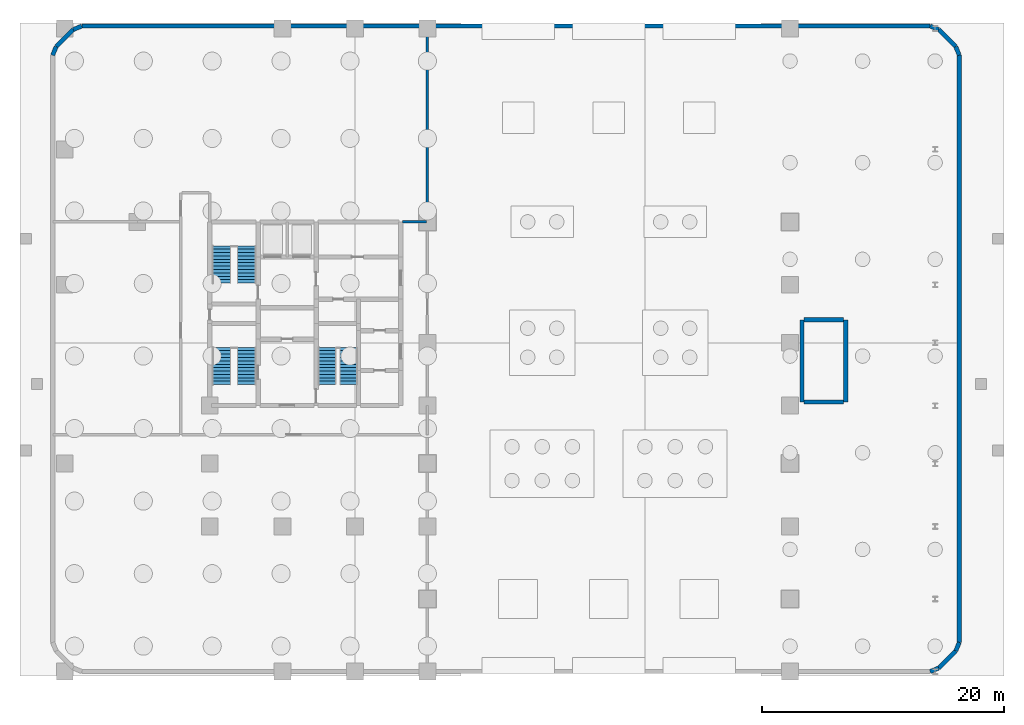
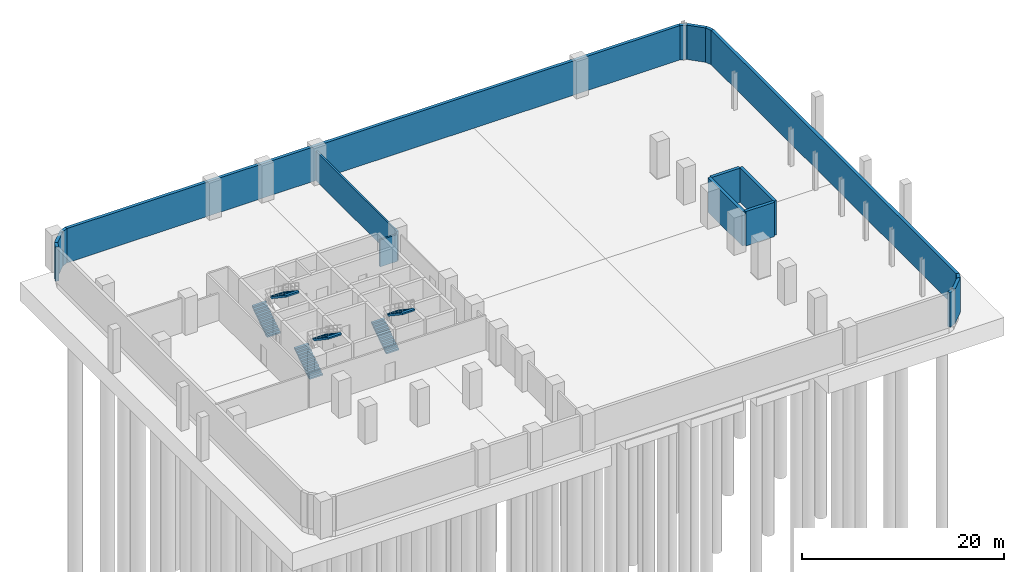
# One storey, part 6 of 8: 17 walls, 6 stair flights, 3 elements without a shape of their own.
"""IFC4 building model written with IfcOpenShell, lengths in metres."""

from ifc_helpers import new_model, si_unit, direction, frame, frame_2d, origin, place, context, subcontext, project, spatial, polyline, rectangle, outline, extrude, material, layer, layer_set, type_object, element, aggregate, save


model = new_model("IFC4")

# Units and contexts
model_context = context("Model", 3, precision=1e-05, world=origin(), true_north=direction((0.0, 1.0)))
body_context = subcontext(model_context, "Body", "Model", "MODEL_VIEW")
ifc_project = project(units=[si_unit("LENGTHUNIT", "METRE"), si_unit("AREAUNIT", "SQUARE_METRE"), si_unit("VOLUMEUNIT", "CUBIC_METRE"), si_unit("PLANEANGLEUNIT", "RADIAN"), si_unit("MASSUNIT", "GRAM", prefix="KILO")], contexts=[model_context])

# Site, building, storey
site_placement = place(None, origin())
site = spatial("IfcSite", under=ifc_project, at=site_placement, CompositionType="ELEMENT")
building_placement = place(site_placement, origin())
building = spatial("IfcBuilding", under=site, at=building_placement, Name="Keshet Zoharim Tower", CompositionType="ELEMENT")
storey_placement = place(building_placement, frame((0.0, 0.0, -9.0)))
storey = spatial("IfcBuildingStorey", under=building, at=storey_placement, Name="B2", CompositionType="ELEMENT", Elevation=-9.0)

# Walls
ifc_material_1 = material(Name="Concrete C60/75", Category="concrete")
ifc_layer_1 = layer(ifc_material_1, 0.35009765625)
ifc_layer_set_1 = layer_set([ifc_layer_1], Name="Concrete C60/75")
wall_type_1 = type_object("IfcWallType", Name="WL-CORE-350", PredefinedType="SHEAR", material=ifc_layer_set_1)
for number, where, z_axis, x_axis, name in (
    (1, (64.0, 23.0, 0.0), (0.0, 0.0, 1.0), (0.0, 1.0, 0.0), "B2 Core Shear Wall 029"),
    (2, (67.60009765625, 23.0, 0.0), (0.0, 0.0, 1.0), (0.0, 1.0, 0.0), "B2 Core Shear Wall 030"),
):
    element("IfcWall", number, at=place(storey_placement, frame(where, z_axis=z_axis, x_axis=x_axis)), inside=storey, type_object=wall_type_1, Name=name, PredefinedType="SHEAR", context=body_context, shape_type="SweptSolid", body=[
        extrude(rectangle(XDim=6.800048828125, YDim=0.35009765625, at=frame_2d((3.39990234375, 0.0))), origin(), (0.0, 0.0, 1.0), 4.159912109375),
    ])
for number, where, z_axis, x_axis, name in (
    (3, (64.159912109375, 23.0, 0.0), (0.0, 0.0, 1.0), (1.0, 0.0, 0.0), "B2 Core Shear Wall 037"),
    (4, (64.159912109375, 29.800048828125, 0.0), (0.0, 0.0, 1.0), (1.0, 0.0, 0.0), "B2 Core Shear Wall 043"),
):
    element("IfcWall", number, at=place(storey_placement, frame(where, z_axis=z_axis, x_axis=x_axis)), inside=storey, type_object=wall_type_1, Name=name, PredefinedType="SHEAR", context=body_context, shape_type="SweptSolid", body=[
        extrude(rectangle(XDim=3.280029296875, YDim=0.35009765625, at=frame_2d((1.64013671875, 0.0))), origin(), (0.0, 0.0, 1.0), 4.159912109375),
    ])
ifc_material_2 = material(Name="Concrete C50/60", Category="concrete")
ifc_layer_2 = layer(ifc_material_2, 0.199951171875)
ifc_layer_set_2 = layer_set([ifc_layer_2], Name="Concrete C50/60")
wall_type_2 = type_object("IfcWallType", Name="WL-FIRE-200", PredefinedType="STANDARD", material=ifc_layer_set_2)
wall_1_placement = place(storey_placement, frame((33.0, 37.89990234375, 0.0), z_axis=(0.0, 0.0, 1.0), x_axis=(0.0, 1.0, 0.0)))
element("IfcWall", 5, at=wall_1_placement, inside=storey, type_object=wall_type_2, Name="B2 Interior Wall 028", PredefinedType="STANDARD", context=body_context, shape_type="SweptSolid", body=[
    extrude(rectangle(XDim=16.190185546875, YDim=0.199951171875, at=frame_2d((8.09521484375, 0.0))), origin(), (0.0, 0.0, 1.0), 3.56005859375),
])
wall_2_placement = place(storey_placement, frame((30.9599609375, 37.89990234375, 0.0), z_axis=(0.0, 0.0, 1.0), x_axis=(1.0, 0.0, 0.0)))
element("IfcWall", 6, at=wall_2_placement, inside=storey, type_object=wall_type_2, Name="B2 Interior Wall 053", PredefinedType="STANDARD", context=body_context, shape_type="SweptSolid", body=[
    extrude(rectangle(XDim=1.955078125, YDim=0.199951171875, at=frame_2d((0.9775390625, 0.0))), origin(), (0.0, 0.0, 1.0), 3.260009765625),
])
ifc_layer_3 = layer(ifc_material_2, 0.35009765625)
ifc_layer_set_3 = layer_set([ifc_layer_3], Name="Concrete C50/60")
wall_type_3 = type_object("IfcWallType", Name="WL-RET-350", PredefinedType="USERDEFINED", material=ifc_layer_set_3)
wall_3_placement = place(storey_placement, frame((2.0, 51.68603515625, 0.0), z_axis=(0.0, 0.0, 1.0), x_axis=(0.382802560388, 0.92383017907, 0.0)))
element("IfcWall", 7, at=wall_3_placement, inside=storey, type_object=wall_type_3, Name="B2 Perimeter Retaining Wall 03", ObjectType="RETAINING", PredefinedType="USERDEFINED", context=body_context, shape_type="SweptSolid", body=[
    extrude(rectangle(XDim=0.765380859375, YDim=0.35009765625, at=frame_2d((0.3828125, 0.0))), origin(), (0.0, 0.0, 1.0), 4.159912109375),
])
wall_4_placement = place(storey_placement, frame((2.29296875, 52.39306640625, 0.0), z_axis=(0.0, 0.0, 1.0), x_axis=(0.707167825498, 0.707045731605, 0.0)))
element("IfcWall", 8, at=wall_4_placement, inside=storey, type_object=wall_type_3, Name="B2 Perimeter Retaining Wall 04", ObjectType="RETAINING", PredefinedType="USERDEFINED", context=body_context, shape_type="SweptSolid", body=[
    extrude(rectangle(XDim=1.99951171875, YDim=0.35009765625, at=frame_2d((0.999755859375, 0.0))), origin(), (0.0, 0.0, 1.0), 4.159912109375),
])
wall_5_placement = place(storey_placement, frame((3.70703125, 53.806884765625, 0.0), z_axis=(0.0, 0.0, 1.0), x_axis=(0.923717339373, 0.383074766777, 0.0)))
element("IfcWall", 9, at=wall_5_placement, inside=storey, type_object=wall_type_3, Name="B2 Perimeter Retaining Wall 05", ObjectType="RETAINING", PredefinedType="USERDEFINED", context=body_context, shape_type="SweptSolid", body=[
    extrude(rectangle(XDim=0.765380859375, YDim=0.35009765625, at=frame_2d((0.3828125, 0.0))), origin(), (0.0, 0.0, 1.0), 4.159912109375),
])
wall_6_placement = place(storey_placement, frame((4.4140625, 54.10009765625, 0.0), z_axis=(0.0, 0.0, 1.0), x_axis=(1.0, 0.0, 0.0)))
element("IfcWall", 10, at=wall_6_placement, inside=storey, type_object=wall_type_3, Name="B2 Perimeter Retaining Wall 06", ObjectType="RETAINING", PredefinedType="USERDEFINED", context=body_context, shape_type="SweptSolid", body=[
    extrude(rectangle(XDim=70.171875, YDim=0.35009765625, at=frame_2d((35.0859375, 0.0))), origin(), (0.0, 0.0, 1.0), 4.159912109375),
])
wall_7_placement = place(storey_placement, frame((74.5859375, 54.10009765625, 0.0), z_axis=(0.0, 0.0, 1.0), x_axis=(0.923717339373, -0.383074766777, 0.0)))
element("IfcWall", 11, at=wall_7_placement, inside=storey, type_object=wall_type_3, Name="B2 Perimeter Retaining Wall 07", ObjectType="RETAINING", PredefinedType="USERDEFINED", context=body_context, shape_type="SweptSolid", body=[
    extrude(rectangle(XDim=0.765380859375, YDim=0.35009765625, at=frame_2d((0.3828125, 0.0))), origin(), (0.0, 0.0, 1.0), 4.159912109375),
])
wall_8_placement = place(storey_placement, frame((75.29296875, 53.806884765625, 0.0), z_axis=(0.0, 0.0, 1.0), x_axis=(0.707167825498, -0.707045731605, 0.0)))
element("IfcWall", 12, at=wall_8_placement, inside=storey, type_object=wall_type_3, Name="B2 Perimeter Retaining Wall 08", ObjectType="RETAINING", PredefinedType="USERDEFINED", context=body_context, shape_type="SweptSolid", body=[
    extrude(rectangle(XDim=1.99951171875, YDim=0.35009765625, at=frame_2d((0.999755859375, 0.0))), origin(), (0.0, 0.0, 1.0), 4.159912109375),
])
wall_9_placement = place(storey_placement, frame((76.70703125, 52.39306640625, 0.0), z_axis=(0.0, 0.0, 1.0), x_axis=(0.382802560388, -0.92383017907, 0.0)))
element("IfcWall", 13, at=wall_9_placement, inside=storey, type_object=wall_type_3, Name="B2 Perimeter Retaining Wall 09", ObjectType="RETAINING", PredefinedType="USERDEFINED", context=body_context, shape_type="SweptSolid", body=[
    extrude(rectangle(XDim=0.765380859375, YDim=0.35009765625, at=frame_2d((0.3828125, 0.0))), origin(), (0.0, 0.0, 1.0), 4.159912109375),
])
wall_10_placement = place(storey_placement, frame((77.0, 51.68603515625, 0.0), z_axis=(0.0, 0.0, 1.0), x_axis=(0.0, -1.0, 0.0)))
element("IfcWall", 14, at=wall_10_placement, inside=storey, type_object=wall_type_3, Name="B2 Perimeter Retaining Wall 10", ObjectType="RETAINING", PredefinedType="USERDEFINED", context=body_context, shape_type="SweptSolid", body=[
    extrude(rectangle(XDim=48.572021484375, YDim=0.35009765625, at=frame_2d((24.2861328125, 0.0))), origin(), (0.0, 0.0, 1.0), 4.159912109375),
])
wall_11_placement = place(storey_placement, frame((77.0, 3.114013671875, 0.0), z_axis=(0.0, 0.0, 1.0), x_axis=(-0.382802560388, -0.92383017907, 0.0)))
element("IfcWall", 15, at=wall_11_placement, inside=storey, type_object=wall_type_3, Name="B2 Perimeter Retaining Wall 11", ObjectType="RETAINING", PredefinedType="USERDEFINED", context=body_context, shape_type="SweptSolid", body=[
    extrude(rectangle(XDim=0.765380859375, YDim=0.35009765625, at=frame_2d((0.3828125, 0.0))), origin(), (0.0, 0.0, 1.0), 4.159912109375),
])
wall_12_placement = place(storey_placement, frame((76.70703125, 2.406982421875, 0.0), z_axis=(0.0, 0.0, 1.0), x_axis=(-0.707106781187, -0.707106781187, 0.0)))
element("IfcWall", 16, at=wall_12_placement, inside=storey, type_object=wall_type_3, Name="B2 Perimeter Retaining Wall 12", ObjectType="RETAINING", PredefinedType="USERDEFINED", context=body_context, shape_type="SweptSolid", body=[
    extrude(rectangle(XDim=1.999755859375, YDim=0.35009765625, at=frame_2d((1.0, 0.0))), origin(), (0.0, 0.0, 1.0), 4.159912109375),
])
wall_13_placement = place(storey_placement, frame((75.29296875, 0.992919921875, 0.0), z_axis=(0.0, 0.0, 1.0), x_axis=(-0.92383017907, -0.382802560388, 0.0)))
element("IfcWall", 17, at=wall_13_placement, inside=storey, type_object=wall_type_3, Name="B2 Perimeter Retaining Wall 13", ObjectType="RETAINING", PredefinedType="USERDEFINED", context=body_context, shape_type="SweptSolid", body=[
    extrude(rectangle(XDim=0.765380859375, YDim=0.35009765625, at=frame_2d((0.3828125, 0.0))), origin(), (0.0, 0.0, 1.0), 4.159912109375),
])

# Stair, stair flights
stair_type = type_object("IfcStairType", Name="STR-EXIT-135", PredefinedType="HALF_TURN_STAIR", material=ifc_material_2)
stair_1_placement = place(storey_placement, origin())
stair_1 = element("IfcStair", 18, at=stair_1_placement, inside=storey, type_object=stair_type, Name="B2 Enclosed Exit Stair ST-01", PredefinedType="HALF_TURN_STAIR")
stair_flight_type_1 = type_object("IfcStairFlightType", Name="FLT-PRE-135", PredefinedType="STRAIGHT", material=ifc_material_2)
stair_flight_1_placement = place(storey_placement, frame((15.945068359375, 24.43994140625, 0.0), z_axis=(0.0, 0.0, 1.0), x_axis=(0.0, 1.0, 0.0)))
stair_flight_1 = element("IfcStairFlight", 19, at=stair_flight_1_placement, type_object=stair_flight_type_1, Name="ST-01 flight 1", NumberOfRisers=12, NumberOfTreads=11, PredefinedType="STRAIGHT", RiserHeight=0.1875, TreadLength=0.28, context=body_context, shape_type="SweptSolid", body=[
    extrude(outline(polyline([(0.0, 0.0), (0.0, 0.1875), (0.280029296875, 0.1875), (0.280029296875, 0.375), (0.56005859375, 0.375), (0.56005859375, 0.5625), (0.840087890625, 0.5625), (0.840087890625, 0.75), (1.1201171875, 0.75), (1.1201171875, 0.9375), (1.39990234375, 0.9375), (1.39990234375, 1.125), (1.679931640625, 1.125), (1.679931640625, 1.3125), (1.9599609375, 1.3125), (1.9599609375, 1.5), (2.239990234375, 1.5), (2.239990234375, 1.6875), (2.52001953125, 1.6875), (2.52001953125, 1.875), (2.800048828125, 1.875), (2.800048828125, 2.0625), (3.080078125, 2.0625), (3.080078125, 2.25), (3.080078125, 1.8701171875), (0.287353515625, 0.0), (0.0, 0.0)])), frame((0.0, 0.76513671875, 0.0), z_axis=(0.0, -1.0, 0.0), x_axis=(1.0, 0.0, 0.0)), (0.0, 0.0, 1.0), 1.530029296875),
])
stair_flight_2_placement = place(storey_placement, frame((18.054931640625, 27.52001953125, 2.25), z_axis=(0.0, 0.0, 1.0), x_axis=(0.0, -1.0, 0.0)))
stair_flight_2 = element("IfcStairFlight", 20, at=stair_flight_2_placement, type_object=stair_flight_type_1, Name="ST-01 flight 2", NumberOfRisers=12, NumberOfTreads=11, PredefinedType="STRAIGHT", RiserHeight=0.1875, TreadLength=0.28, context=body_context, shape_type="SweptSolid", body=[
    extrude(outline(polyline([(0.0, 0.0), (0.0, 0.1875), (0.280029296875, 0.1875), (0.280029296875, 0.375), (0.56005859375, 0.375), (0.56005859375, 0.5625), (0.840087890625, 0.5625), (0.840087890625, 0.75), (1.1201171875, 0.75), (1.1201171875, 0.9375), (1.39990234375, 0.9375), (1.39990234375, 1.125), (1.679931640625, 1.125), (1.679931640625, 1.3125), (1.9599609375, 1.3125), (1.9599609375, 1.5), (2.239990234375, 1.5), (2.239990234375, 1.6875), (2.52001953125, 1.6875), (2.52001953125, 1.875), (2.800048828125, 1.875), (2.800048828125, 2.0625), (3.080078125, 2.0625), (3.080078125, 2.25), (3.080078125, 1.8701171875), (0.287353515625, 0.0), (0.0, 0.0)])), frame((0.0, 0.76513671875, 0.0), z_axis=(0.0, -1.0, 0.0), x_axis=(1.0, 0.0, 0.0)), (0.0, 0.0, 1.0), 1.530029296875),
])
aggregate(stair_1, [stair_flight_1, stair_flight_2])

stair_2_placement = place(storey_placement, origin())
stair_2 = element("IfcStair", 21, at=stair_2_placement, inside=storey, type_object=stair_type, Name="B2 Enclosed Exit Stair ST-02", PredefinedType="HALF_TURN_STAIR")
stair_flight_3_placement = place(storey_placement, frame((15.945068359375, 32.840087890625, 0.0), z_axis=(0.0, 0.0, 1.0), x_axis=(0.0, 1.0, 0.0)))
stair_flight_3 = element("IfcStairFlight", 22, at=stair_flight_3_placement, type_object=stair_flight_type_1, Name="ST-02 flight 1", NumberOfRisers=12, NumberOfTreads=11, PredefinedType="STRAIGHT", RiserHeight=0.1875, TreadLength=0.28, context=body_context, shape_type="SweptSolid", body=[
    extrude(outline(polyline([(0.0, 0.0), (0.0, 0.1875), (0.280029296875, 0.1875), (0.280029296875, 0.375), (0.56005859375, 0.375), (0.56005859375, 0.5625), (0.840087890625, 0.5625), (0.840087890625, 0.75), (1.1201171875, 0.75), (1.1201171875, 0.9375), (1.39990234375, 0.9375), (1.39990234375, 1.125), (1.679931640625, 1.125), (1.679931640625, 1.3125), (1.9599609375, 1.3125), (1.9599609375, 1.5), (2.239990234375, 1.5), (2.239990234375, 1.6875), (2.52001953125, 1.6875), (2.52001953125, 1.875), (2.800048828125, 1.875), (2.800048828125, 2.0625), (3.080078125, 2.0625), (3.080078125, 2.25), (3.080078125, 1.8701171875), (0.287353515625, 0.0), (0.0, 0.0)])), frame((0.0, 0.76513671875, 0.0), z_axis=(0.0, -1.0, 0.0), x_axis=(1.0, 0.0, 0.0)), (0.0, 0.0, 1.0), 1.530029296875),
])
stair_flight_4_placement = place(storey_placement, frame((18.054931640625, 35.919921875, 2.25), z_axis=(0.0, 0.0, 1.0), x_axis=(0.0, -1.0, 0.0)))
stair_flight_4 = element("IfcStairFlight", 23, at=stair_flight_4_placement, type_object=stair_flight_type_1, Name="ST-02 flight 2", NumberOfRisers=12, NumberOfTreads=11, PredefinedType="STRAIGHT", RiserHeight=0.1875, TreadLength=0.28, context=body_context, shape_type="SweptSolid", body=[
    extrude(outline(polyline([(0.0, 0.0), (0.0, 0.1875), (0.280029296875, 0.1875), (0.280029296875, 0.375), (0.56005859375, 0.375), (0.56005859375, 0.5625), (0.840087890625, 0.5625), (0.840087890625, 0.75), (1.1201171875, 0.75), (1.1201171875, 0.9375), (1.39990234375, 0.9375), (1.39990234375, 1.125), (1.679931640625, 1.125), (1.679931640625, 1.3125), (1.9599609375, 1.3125), (1.9599609375, 1.5), (2.239990234375, 1.5), (2.239990234375, 1.6875), (2.52001953125, 1.6875), (2.52001953125, 1.875), (2.800048828125, 1.875), (2.800048828125, 2.0625), (3.080078125, 2.0625), (3.080078125, 2.25), (3.080078125, 1.8701171875), (0.287353515625, 0.0), (0.0, 0.0)])), frame((0.0, 0.76513671875, 0.0), z_axis=(0.0, -1.0, 0.0), x_axis=(1.0, 0.0, 0.0)), (0.0, 0.0, 1.0), 1.530029296875),
])
aggregate(stair_2, [stair_flight_3, stair_flight_4])

stair_3_placement = place(storey_placement, origin())
stair_3 = element("IfcStair", 24, at=stair_3_placement, inside=storey, type_object=stair_type, Name="B2 Enclosed Exit Stair ST-03", PredefinedType="HALF_TURN_STAIR")
stair_flight_type_2 = type_object("IfcStairFlightType", Name="FLT-PRE-144", PredefinedType="STRAIGHT", material=ifc_material_2)
stair_flight_5_placement = place(storey_placement, frame((24.699951171875, 24.43994140625, 0.0), z_axis=(0.0, 0.0, 1.0), x_axis=(0.0, 1.0, 0.0)))
stair_flight_5 = element("IfcStairFlight", 25, at=stair_flight_5_placement, type_object=stair_flight_type_2, Name="ST-03 flight 1", NumberOfRisers=12, NumberOfTreads=11, PredefinedType="STRAIGHT", RiserHeight=0.1875, TreadLength=0.28, context=body_context, shape_type="SweptSolid", body=[
    extrude(outline(polyline([(0.0, 0.0), (0.0, 0.1875), (0.280029296875, 0.1875), (0.280029296875, 0.375), (0.56005859375, 0.375), (0.56005859375, 0.5625), (0.840087890625, 0.5625), (0.840087890625, 0.75), (1.1201171875, 0.75), (1.1201171875, 0.9375), (1.39990234375, 0.9375), (1.39990234375, 1.125), (1.679931640625, 1.125), (1.679931640625, 1.3125), (1.9599609375, 1.3125), (1.9599609375, 1.5), (2.239990234375, 1.5), (2.239990234375, 1.6875), (2.52001953125, 1.6875), (2.52001953125, 1.875), (2.800048828125, 1.875), (2.800048828125, 2.0625), (3.080078125, 2.0625), (3.080078125, 2.25), (3.080078125, 1.8701171875), (0.287353515625, 0.0), (0.0, 0.0)])), frame((0.0, 0.719970703125, 0.0), z_axis=(0.0, -1.0, 0.0), x_axis=(1.0, 0.0, 0.0)), (0.0, 0.0, 1.0), 1.43994140625),
])
stair_flight_6_placement = place(storey_placement, frame((26.5, 27.52001953125, 2.25), z_axis=(0.0, 0.0, 1.0), x_axis=(0.0, -1.0, 0.0)))
stair_flight_6 = element("IfcStairFlight", 26, at=stair_flight_6_placement, type_object=stair_flight_type_2, Name="ST-03 flight 2", NumberOfRisers=12, NumberOfTreads=11, PredefinedType="STRAIGHT", RiserHeight=0.1875, TreadLength=0.28, context=body_context, shape_type="SweptSolid", body=[
    extrude(outline(polyline([(0.0, 0.0), (0.0, 0.1875), (0.280029296875, 0.1875), (0.280029296875, 0.375), (0.56005859375, 0.375), (0.56005859375, 0.5625), (0.840087890625, 0.5625), (0.840087890625, 0.75), (1.1201171875, 0.75), (1.1201171875, 0.9375), (1.39990234375, 0.9375), (1.39990234375, 1.125), (1.679931640625, 1.125), (1.679931640625, 1.3125), (1.9599609375, 1.3125), (1.9599609375, 1.5), (2.239990234375, 1.5), (2.239990234375, 1.6875), (2.52001953125, 1.6875), (2.52001953125, 1.875), (2.800048828125, 1.875), (2.800048828125, 2.0625), (3.080078125, 2.0625), (3.080078125, 2.25), (3.080078125, 1.8701171875), (0.287353515625, 0.0), (0.0, 0.0)])), frame((0.0, 0.719970703125, 0.0), z_axis=(0.0, -1.0, 0.0), x_axis=(1.0, 0.0, 0.0)), (0.0, 0.0, 1.0), 1.43994140625),
])
aggregate(stair_3, [stair_flight_5, stair_flight_6])

save(model, "model.ifc")
